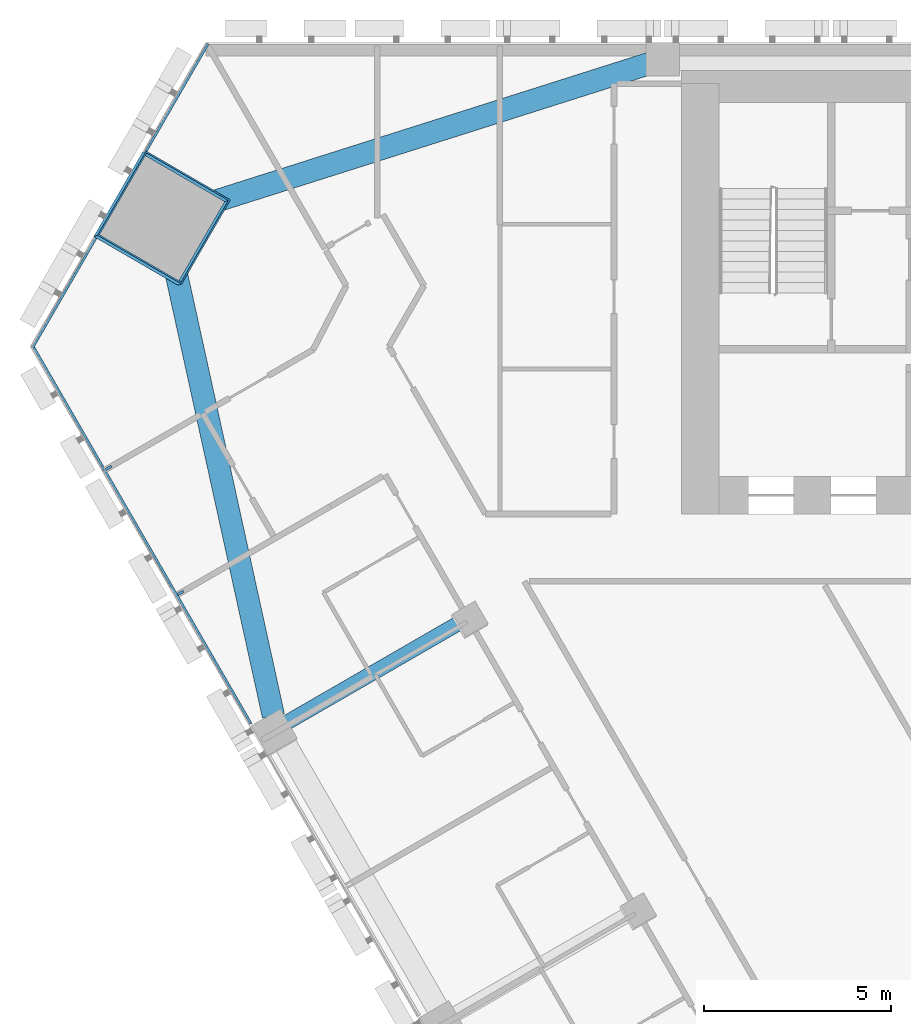
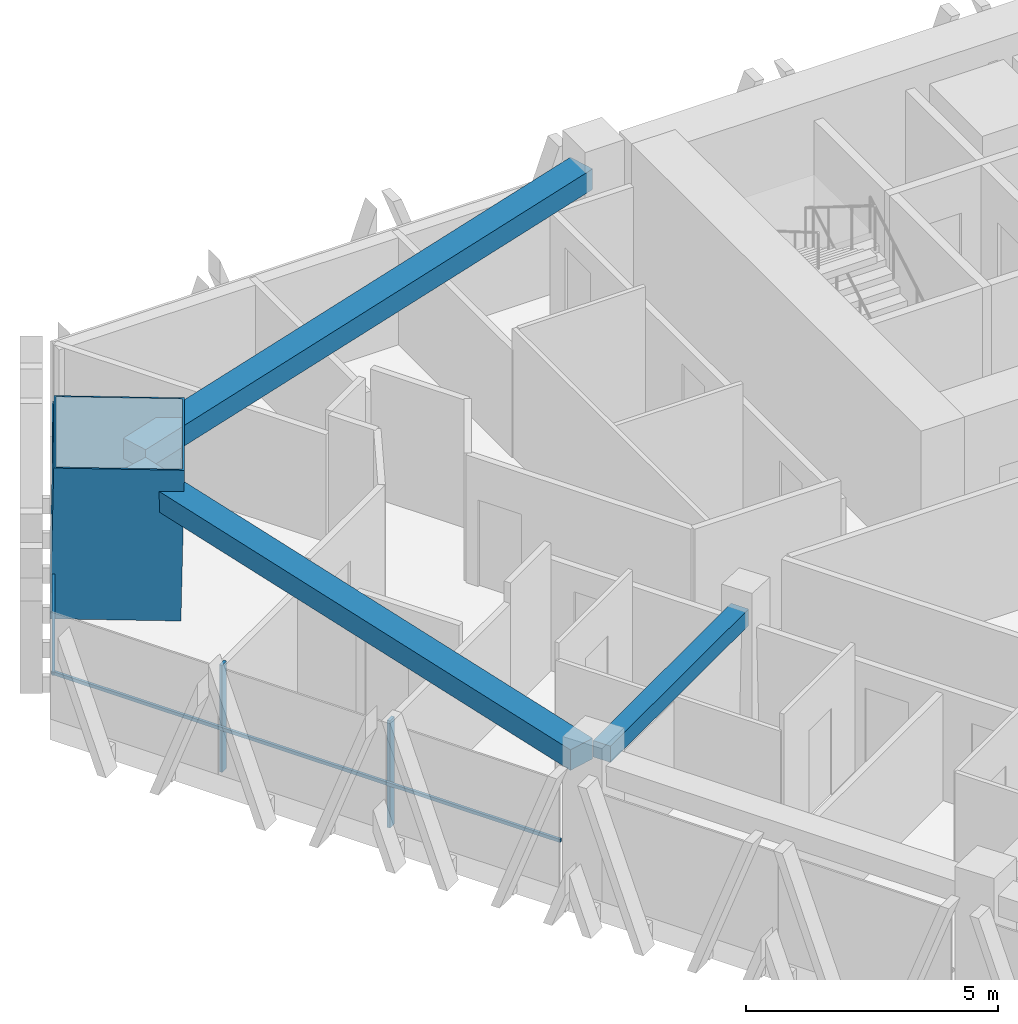
# One storey, part 5 of 17: 6 members, 3 beams, 2 elements without a shape of their own.
"""IFC4 building model written with IfcOpenShell, lengths in metres."""

from ifc_helpers import new_model, si_unit, direction, frame, origin, origin_2d, place, context, subcontext, project, spatial, rectangle, hollow_rectangle, extrude, material, layer, layer_set, material_profile, profile_set, type_object, element, aggregate, save


model = new_model("IFC4")

# Units and contexts
model_context = context("Model", 3, precision=1e-05, world=origin(), true_north=direction((0.0, 1.0)))
body_context = subcontext(model_context, "Body", "Model", "MODEL_VIEW")
ifc_project = project(units=[si_unit("LENGTHUNIT", "METRE"), si_unit("AREAUNIT", "SQUARE_METRE"), si_unit("VOLUMEUNIT", "CUBIC_METRE"), si_unit("PLANEANGLEUNIT", "RADIAN"), si_unit("MASSUNIT", "GRAM", prefix="KILO")], contexts=[model_context])

# Site, building, storey
site_placement = place(None, origin())
site = spatial("IfcSite", under=ifc_project, at=site_placement, CompositionType="ELEMENT")
building_placement = place(site_placement, origin())
building = spatial("IfcBuilding", under=site, at=building_placement, Name="Altiplano Prism Tower", CompositionType="ELEMENT")
storey_placement = place(building_placement, frame((0.0, 0.0, 55.800048828125)))
storey = spatial("IfcBuildingStorey", under=building, at=storey_placement, Name="L13", CompositionType="ELEMENT", Elevation=55.800048828125)

# Curtain wall, members
ifc_material_1 = material(Name="Aluminium and glass", Category="aluminium")
ifc_layer = layer(ifc_material_1, 0.280029296875)
ifc_layer_set = layer_set([ifc_layer], Name="Aluminium and glass")
curtain_wall_type = type_object("IfcCurtainWallType", Name="CW1 typical co-living unitised curtain wall", PredefinedType="NOTDEFINED", material=ifc_layer_set)
curtain_wall_1_placement = place(storey_placement, origin())
curtain_wall_1 = element("IfcCurtainWall", 1, at=curtain_wall_1_placement, inside=storey, type_object=curtain_wall_type, Name="CW1 curtain wall south-west face L13", PredefinedType="NOTDEFINED")
ifc_material_2 = material(Name="Aluminium", Category="aluminium")
ifc_material_profile_1 = material_profile(ifc_material_2, rectangle(XDim=0.179931640625, YDim=0.06494140625, at=origin_2d()), Name="CW1 mullion 65 x 180")
ifc_profile_set_1 = profile_set([ifc_material_profile_1], Name="Aluminium")
member_type_1 = type_object("IfcMemberType", Name="CW1 mullion 65 x 180", PredefinedType="MULLION", material=ifc_profile_set_1)
member_1_placement = place(storey_placement, frame((56.690673828125, 93.6298828125, 0.0), z_axis=(0.0, 0.0, 1.0), x_axis=(0.866025408218, 0.499999992322, 0.0)))
member_1 = element("IfcMember", 2, at=member_1_placement, type_object=member_type_1, Name="CW1 mullion", PredefinedType="MULLION", context=body_context, shape_type="SweptSolid", body=[
    extrude(rectangle(XDim=0.179931640625, YDim=0.06494140625, at=origin_2d()), origin(), (0.0, 0.0, 1.0), 2.599853515625),
])
member_2_placement = place(storey_placement, frame((58.617919921875, 90.291748046875, 0.0), z_axis=(0.0, 0.0, 1.0), x_axis=(0.866025408218, 0.499999992322, 0.0)))
member_2 = element("IfcMember", 3, at=member_2_placement, type_object=member_type_1, Name="CW1 mullion", PredefinedType="MULLION", context=body_context, shape_type="SweptSolid", body=[
    extrude(rectangle(XDim=0.179931640625, YDim=0.06494140625, at=origin_2d()), origin(), (0.0, 0.0, 1.0), 2.599853515625),
])

curtain_wall_2_placement = place(storey_placement, origin())
curtain_wall_2 = element("IfcCurtainWall", 4, at=curtain_wall_2_placement, inside=storey, type_object=curtain_wall_type, Name="CW1 curtain wall north-west chamfer L13", PredefinedType="NOTDEFINED")
ifc_material_profile_2 = material_profile(ifc_material_2, rectangle(XDim=0.06005859375, YDim=0.080078125, at=origin_2d()), Name="CW1 transom 80 x 60")
ifc_profile_set_2 = profile_set([ifc_material_profile_2], Name="Aluminium")
member_type_2 = type_object("IfcMemberType", Name="CW1 transom 80 x 60", PredefinedType="USERDEFINED", material=ifc_profile_set_2)
member_3_placement = place(storey_placement, frame((59.3515625, 104.965087890625, 1.099853515625), z_axis=(-0.499984060977, -0.866034605988, 0.0), x_axis=(0.866034605988, -0.499984060977, 0.0)))
member_3 = element("IfcMember", 5, at=member_3_placement, type_object=member_type_2, Name="CW1 transom", ObjectType="TRANSOM", PredefinedType="USERDEFINED", context=body_context, shape_type="SweptSolid", body=[
    extrude(rectangle(XDim=0.06005859375, YDim=0.080078125, at=origin_2d()), origin(), (0.0, 0.0, 1.0), 3.31201171875),
])
member_4_placement = place(storey_placement, frame((56.35546875, 99.775634765625, 1.099853515625), z_axis=(-0.499986192784, -0.866033375237, 0.0), x_axis=(0.866033375237, -0.499986192784, 0.0)))
member_4 = element("IfcMember", 6, at=member_4_placement, type_object=member_type_2, Name="CW1 transom", ObjectType="TRANSOM", PredefinedType="USERDEFINED", context=body_context, shape_type="SweptSolid", body=[
    extrude(rectangle(XDim=0.06005859375, YDim=0.080078125, at=origin_2d()), origin(), (0.0, 0.0, 1.0), 3.39208984375),
])
aggregate(curtain_wall_2, [member_3, member_4])

# Member
member_5_placement = place(storey_placement, frame((54.659423828125, 96.907958984375, 1.099853515625), z_axis=(0.500005931509, -0.866021979199, 0.0), x_axis=(0.866021979199, 0.500005931509, 0.0)))
member_5 = element("IfcMember", 7, at=member_5_placement, type_object=member_type_2, Name="CW1 transom", ObjectType="TRANSOM", PredefinedType="USERDEFINED", context=body_context, shape_type="SweptSolid", body=[
    extrude(rectangle(XDim=0.06005859375, YDim=0.080078125, at=origin_2d()), origin(), (0.0, 0.0, 1.0), 11.679443359375),
])

aggregate(curtain_wall_1, [member_1, member_2, member_5])

# Beams
ifc_material_3 = material(Name="Concrete C60/75", Category="concrete")
ifc_material_profile_3 = material_profile(ifc_material_3, rectangle(XDim=0.60009765625, YDim=0.5, at=origin_2d()), Name="Edge beam 600x500")
ifc_profile_set_3 = profile_set([ifc_material_profile_3], Name="Concrete C60/75")
beam_type_1 = type_object("IfcBeamType", Name="Edge beam 600x500", PredefinedType="SPANDREL", material=ifc_profile_set_3)
beam_1_placement = place(storey_placement, frame((71.164306640625, 104.443359375, 2.849853515625), z_axis=(-0.9531398684, -0.302529984078, 0.0), x_axis=(0.302529984078, -0.9531398684, 0.0)))
element("IfcBeam", 8, at=beam_1_placement, inside=storey, type_object=beam_type_1, Name="Edge beam P04-M0 L14", PredefinedType="SPANDREL", context=body_context, shape_type="SweptSolid", body=[
    extrude(rectangle(XDim=0.60009765625, YDim=0.5, at=origin_2d()), origin(), (0.0, 0.0, 1.0), 13.179931640625),
])
beam_2_placement = place(storey_placement, frame((58.26953125, 99.88037109375, 2.849853515625), z_axis=(0.214554700395, -0.976711974196, 0.0), x_axis=(0.976711974196, 0.214554700395, 0.0)))
element("IfcBeam", 9, at=beam_2_placement, inside=storey, type_object=beam_type_1, Name="Edge beam M0-P11 L14", PredefinedType="SPANDREL", context=body_context, shape_type="SweptSolid", body=[
    extrude(rectangle(XDim=0.60009765625, YDim=0.5, at=origin_2d()), origin(), (0.0, 0.0, 1.0), 13.18017578125),
])

# Member
ifc_material_4 = material(Name="Steel S460", Category="steel")
ifc_material_profile_4 = material_profile(ifc_material_4, hollow_rectangle(XDim=2.60009765625, YDim=2.60009765625, WallThickness=0.0400390625, at=origin_2d()), Name="Mega column tube 2600")
ifc_profile_set_4 = profile_set([ifc_material_profile_4], Name="Steel S460")
member_type_3 = type_object("IfcMemberType", Name="Mega column tube 2600", PredefinedType="POST", material=ifc_profile_set_4)
member_6_placement = place(storey_placement, frame((58.07080078125, 100.28662109375, 0.0), z_axis=(0.028403739082, 0.009219352065, 0.999554016126), x_axis=(-0.865127356404, 0.501154864759, 0.019961431043)))
element("IfcMember", 10, at=member_6_placement, inside=storey, type_object=member_type_3, Name="Mega column tube M0 L13", PredefinedType="POST", context=body_context, shape_type="SweptSolid", body=[
    extrude(hollow_rectangle(XDim=2.60009765625, YDim=2.60009765625, WallThickness=0.0400390625, at=origin_2d()), origin(), (0.0, 0.0, 1.0), 3.6015625),
])

# Beam
ifc_material_profile_5 = material_profile(ifc_material_3, rectangle(XDim=0.39990234375, YDim=0.39990234375, at=origin_2d()), Name="Tie beam 400x400")
ifc_profile_set_5 = profile_set([ifc_material_profile_5], Name="Concrete C60/75")
beam_type_2 = type_object("IfcBeamType", Name="Tie beam 400x400", PredefinedType="BEAM", material=ifc_profile_set_5)
beam_3_placement = place(storey_placement, frame((66.21337890625, 89.5732421875, 2.89990234375), z_axis=(-0.866031549307, -0.499989355492, 0.0), x_axis=(0.499989355492, -0.866031549307, 0.0)))
element("IfcBeam", 11, at=beam_3_placement, inside=storey, type_object=beam_type_2, Name="Tie beam I11 L14", PredefinedType="BEAM", context=body_context, shape_type="SweptSolid", body=[
    extrude(rectangle(XDim=0.39990234375, YDim=0.39990234375, at=origin_2d()), origin(), (0.0, 0.0, 1.0), 5.48974609375),
])

save(model, "model.ifc")
